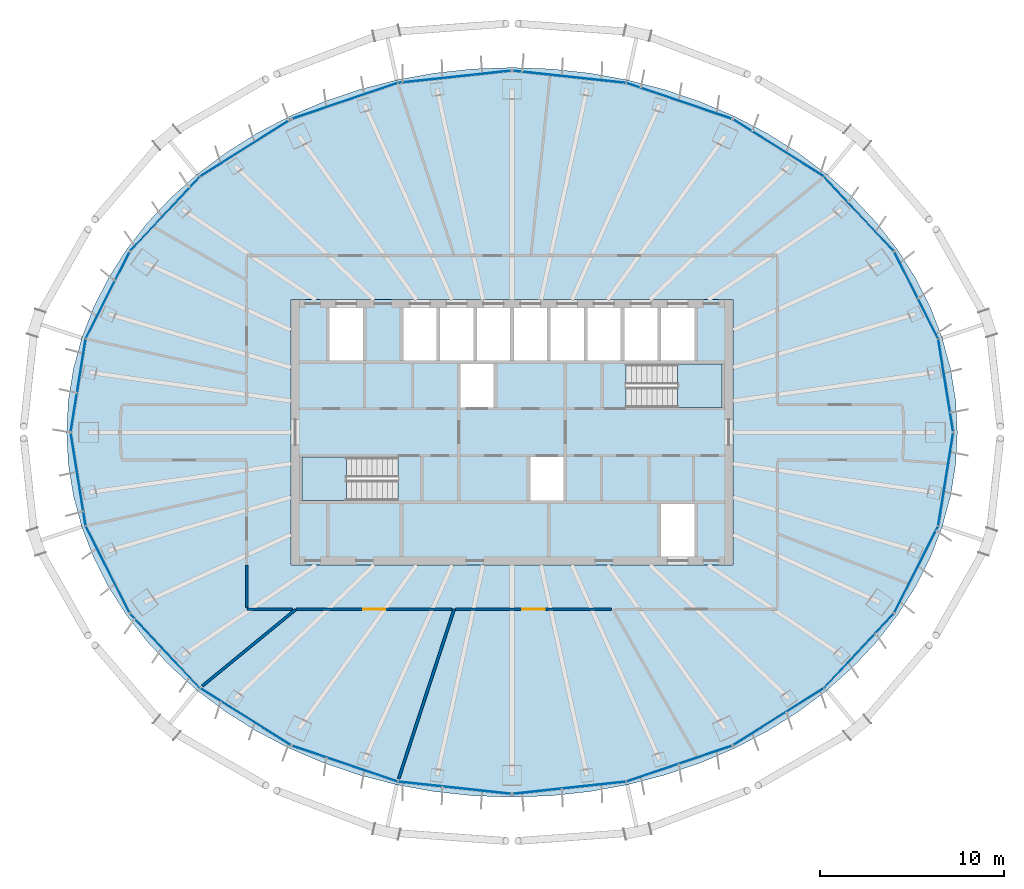
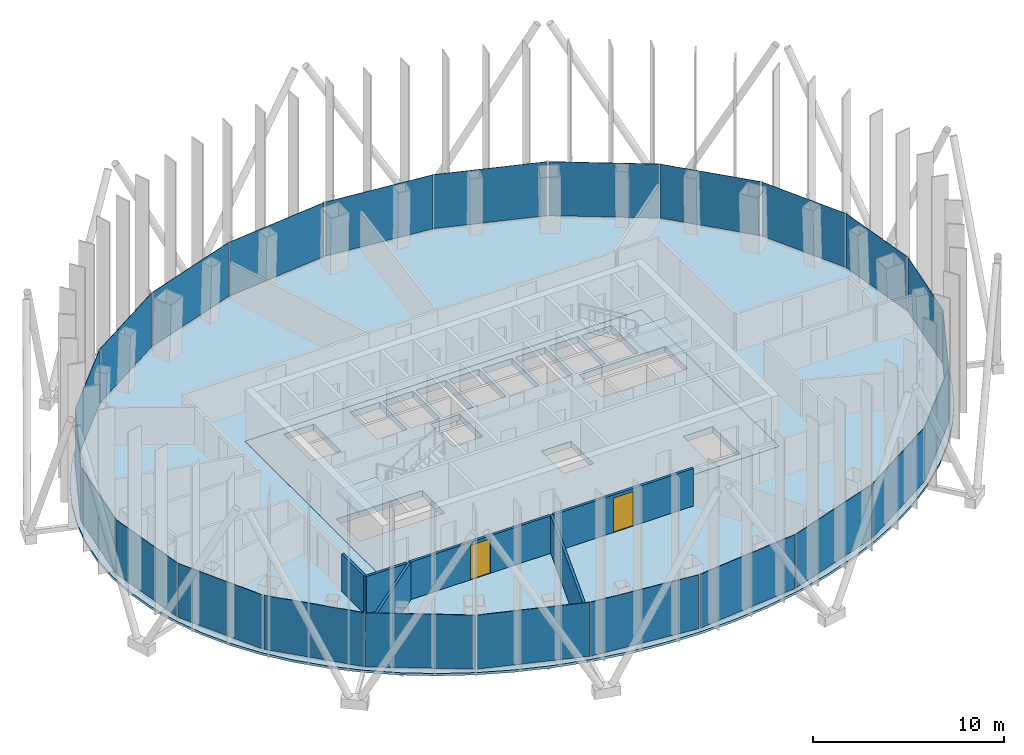
# One storey, part 8 of 18: 24 plates, 6 walls, 4 slabs, 2 doors, 2 openings, 14 elements without a shape of their own.
"""IFC4 building model written with IfcOpenShell, lengths in metres."""

from ifc_helpers import new_model, si_unit, direction, frame, frame_2d, origin, origin_2d, place, context, subcontext, project, spatial, polyline, rectangle, outline, extrude, material, layer, layer_set, type_object, element, fill, aggregate, save


model = new_model("IFC4")

# Units and contexts
model_context = context("Model", 3, precision=1e-05, world=origin(), true_north=direction((0.0, 1.0)))
body_context = subcontext(model_context, "Body", "Model", "MODEL_VIEW")
ifc_project = project(units=[si_unit("LENGTHUNIT", "METRE"), si_unit("AREAUNIT", "SQUARE_METRE"), si_unit("VOLUMEUNIT", "CUBIC_METRE"), si_unit("PLANEANGLEUNIT", "RADIAN"), si_unit("MASSUNIT", "GRAM", prefix="KILO")], contexts=[model_context])

# Site, building, storey
site_placement = place(None, origin())
site = spatial("IfcSite", under=ifc_project, at=site_placement, CompositionType="ELEMENT")
building_placement = place(site_placement, origin())
building = spatial("IfcBuilding", under=site, at=building_placement, Name="Siaravel Broadcast Tower", CompositionType="ELEMENT")
storey_placement = place(building_placement, frame((0.0, 0.0, 157.10009765625)))
storey = spatial("IfcBuildingStorey", under=building, at=storey_placement, Name="L37", CompositionType="ELEMENT", Elevation=157.10009765625)

# Curtain wall, plates
ifc_material_1 = material(Name="Aluminium 6063-T6", Category="aluminium")
ifc_layer_1 = layer(ifc_material_1, 0.179931640625)
ifc_layer_set_1 = layer_set([ifc_layer_1], Name="Aluminium 6063-T6")
curtain_wall_type = type_object("IfcCurtainWallType", Name="Unitised curtain wall, zone 3", PredefinedType="NOTDEFINED", material=ifc_layer_set_1)
curtain_wall_1_placement = place(storey_placement, origin())
curtain_wall_1 = element("IfcCurtainWall", 1, at=curtain_wall_1_placement, inside=storey, type_object=curtain_wall_type, Name="L37 Unitised curtain wall, zone 3 01", PredefinedType="NOTDEFINED")
ifc_material_2 = material(Name="Tinted insulated glass", Category="glass")
ifc_layer_2 = layer(ifc_material_2, 0.028076171875)
ifc_layer_set_2 = layer_set([ifc_layer_2], Name="Tinted insulated glass")
plate_type = type_object("IfcPlateType", Name="CW-Z3 glass panel", PredefinedType="CURTAIN_PANEL", material=ifc_layer_set_2)
plate_1_placement = place(storey_placement, frame((23.5517578125, 2.557373046875, 0.10009765625), z_axis=(0.0, 0.0, 1.0), x_axis=(-0.158685063, 0.987329251, 0.0)))
plate_1 = element("IfcPlate", 2, at=plate_1_placement, type_object=plate_type, Name="CW-Z3 glass panel", PredefinedType="CURTAIN_PANEL", context=body_context, shape_type="SweptSolid", body=[
    extrude(rectangle(XDim=5.060302734375, YDim=0.028076171875, at=origin_2d()), origin(), (0.0, 0.0, 1.0), 3.449951171875),
])
plate_2_placement = place(storey_placement, frame((21.95458984375, 7.4404296875, 0.10009765625), z_axis=(0.0, 0.0, 1.0), x_axis=(-0.451259864, 0.89239259, 0.0)))
plate_2 = element("IfcPlate", 3, at=plate_2_placement, type_object=plate_type, Name="CW-Z3 glass panel", PredefinedType="CURTAIN_PANEL", context=body_context, shape_type="SweptSolid", body=[
    extrude(rectangle(XDim=5.218505859375, YDim=0.028076171875, at=origin_2d()), origin(), (0.0, 0.0, 1.0), 3.449951171875),
])
aggregate(curtain_wall_1, [plate_1, plate_2])

curtain_wall_2_placement = place(storey_placement, origin())
curtain_wall_2 = element("IfcCurtainWall", 4, at=curtain_wall_2_placement, inside=storey, type_object=curtain_wall_type, Name="L37 Unitised curtain wall, zone 3 02", PredefinedType="NOTDEFINED")
plate_3_placement = place(storey_placement, frame((18.8349609375, 11.86669921875, 0.10009765625), z_axis=(0.0, 0.0, 1.0), x_axis=(-0.683654117, 0.729806172, 0.0)))
plate_3 = element("IfcPlate", 5, at=plate_3_placement, type_object=plate_type, Name="CW-Z3 glass panel", PredefinedType="CURTAIN_PANEL", context=body_context, shape_type="SweptSolid", body=[
    extrude(rectangle(XDim=5.482177734375, YDim=0.028076171875, at=origin_2d()), origin(), (0.0, 0.0, 1.0), 3.449951171875),
])
plate_4_placement = place(storey_placement, frame((14.471923828125, 15.440673828125, 0.10009765625), z_axis=(0.0, 0.0, 1.0), x_axis=(-0.846649928, 0.532150259, 0.0)))
plate_4 = element("IfcPlate", 6, at=plate_4_placement, type_object=plate_type, Name="CW-Z3 glass panel", PredefinedType="CURTAIN_PANEL", context=body_context, shape_type="SweptSolid", body=[
    extrude(rectangle(XDim=5.771728515625, YDim=0.028076171875, at=origin_2d()), origin(), (0.0, 0.0, 1.0), 3.449951171875),
])
aggregate(curtain_wall_2, [plate_3, plate_4])

curtain_wall_3_placement = place(storey_placement, origin())
curtain_wall_3 = element("IfcCurtainWall", 7, at=curtain_wall_3_placement, inside=storey, type_object=curtain_wall_type, Name="L37 Unitised curtain wall, zone 3 03", PredefinedType="NOTDEFINED")
plate_5_placement = place(storey_placement, frame((9.07470703125, 17.993408203125, 0.10009765625), z_axis=(0.0, 0.0, 1.0), x_axis=(-0.946976983, 0.321301405, 0.0)))
plate_5 = element("IfcPlate", 8, at=plate_5_placement, type_object=plate_type, Name="CW-Z3 glass panel", PredefinedType="CURTAIN_PANEL", context=body_context, shape_type="SweptSolid", body=[
    extrude(rectangle(XDim=6.011474609375, YDim=0.028076171875, at=origin_2d()), origin(), (0.0, 0.0, 1.0), 3.449951171875),
])
plate_6_placement = place(storey_placement, frame((3.11474609375, 19.301513671875, 0.10009765625), z_axis=(0.0, 0.0, 1.0), x_axis=(-0.99423556, 0.107217776, 0.0)))
plate_6 = element("IfcPlate", 9, at=plate_6_placement, type_object=plate_type, Name="CW-Z3 glass panel", PredefinedType="CURTAIN_PANEL", context=body_context, shape_type="SweptSolid", body=[
    extrude(rectangle(XDim=6.145751953125, YDim=0.028076171875, at=origin_2d()), origin(), (0.0, 0.0, 1.0), 3.449951171875),
])
aggregate(curtain_wall_3, [plate_5, plate_6])

curtain_wall_4_placement = place(storey_placement, origin())
curtain_wall_4 = element("IfcCurtainWall", 10, at=curtain_wall_4_placement, inside=storey, type_object=curtain_wall_type, Name="L37 Unitised curtain wall, zone 3 04", PredefinedType="NOTDEFINED")
plate_7_placement = place(storey_placement, frame((-3.11474609375, 19.301513671875, 0.10009765625), z_axis=(0.0, 0.0, 1.0), x_axis=(-0.99423556, -0.107217776, 0.0)))
plate_7 = element("IfcPlate", 11, at=plate_7_placement, type_object=plate_type, Name="CW-Z3 glass panel", PredefinedType="CURTAIN_PANEL", context=body_context, shape_type="SweptSolid", body=[
    extrude(rectangle(XDim=6.145751953125, YDim=0.028076171875, at=origin_2d()), origin(), (0.0, 0.0, 1.0), 3.449951171875),
])
plate_8_placement = place(storey_placement, frame((-9.07470703125, 17.993408203125, 0.10009765625), z_axis=(0.0, 0.0, 1.0), x_axis=(-0.946976983, -0.321301405, 0.0)))
plate_8 = element("IfcPlate", 12, at=plate_8_placement, type_object=plate_type, Name="CW-Z3 glass panel", PredefinedType="CURTAIN_PANEL", context=body_context, shape_type="SweptSolid", body=[
    extrude(rectangle(XDim=6.011474609375, YDim=0.028076171875, at=origin_2d()), origin(), (0.0, 0.0, 1.0), 3.449951171875),
])
aggregate(curtain_wall_4, [plate_7, plate_8])

curtain_wall_5_placement = place(storey_placement, origin())
curtain_wall_5 = element("IfcCurtainWall", 13, at=curtain_wall_5_placement, inside=storey, type_object=curtain_wall_type, Name="L37 Unitised curtain wall, zone 3 05", PredefinedType="NOTDEFINED")
plate_9_placement = place(storey_placement, frame((-14.471923828125, 15.440673828125, 0.10009765625), z_axis=(0.0, 0.0, 1.0), x_axis=(-0.846649928, -0.532150259, 0.0)))
plate_9 = element("IfcPlate", 14, at=plate_9_placement, type_object=plate_type, Name="CW-Z3 glass panel", PredefinedType="CURTAIN_PANEL", context=body_context, shape_type="SweptSolid", body=[
    extrude(rectangle(XDim=5.771728515625, YDim=0.028076171875, at=origin_2d()), origin(), (0.0, 0.0, 1.0), 3.449951171875),
])
plate_10_placement = place(storey_placement, frame((-18.8349609375, 11.86669921875, 0.10009765625), z_axis=(0.0, 0.0, 1.0), x_axis=(-0.683654117, -0.729806172, 0.0)))
plate_10 = element("IfcPlate", 15, at=plate_10_placement, type_object=plate_type, Name="CW-Z3 glass panel", PredefinedType="CURTAIN_PANEL", context=body_context, shape_type="SweptSolid", body=[
    extrude(rectangle(XDim=5.482177734375, YDim=0.028076171875, at=origin_2d()), origin(), (0.0, 0.0, 1.0), 3.449951171875),
])
aggregate(curtain_wall_5, [plate_9, plate_10])

curtain_wall_6_placement = place(storey_placement, origin())
curtain_wall_6 = element("IfcCurtainWall", 16, at=curtain_wall_6_placement, inside=storey, type_object=curtain_wall_type, Name="L37 Unitised curtain wall, zone 3 06", PredefinedType="NOTDEFINED")
plate_11_placement = place(storey_placement, frame((-21.95458984375, 7.4404296875, 0.10009765625), z_axis=(0.0, 0.0, 1.0), x_axis=(-0.451259864, -0.89239259, 0.0)))
plate_11 = element("IfcPlate", 17, at=plate_11_placement, type_object=plate_type, Name="CW-Z3 glass panel", PredefinedType="CURTAIN_PANEL", context=body_context, shape_type="SweptSolid", body=[
    extrude(rectangle(XDim=5.218505859375, YDim=0.028076171875, at=origin_2d()), origin(), (0.0, 0.0, 1.0), 3.449951171875),
])
plate_12_placement = place(storey_placement, frame((-23.5517578125, 2.557373046875, 0.10009765625), z_axis=(0.0, 0.0, 1.0), x_axis=(-0.158685063, -0.987329251, 0.0)))
plate_12 = element("IfcPlate", 18, at=plate_12_placement, type_object=plate_type, Name="CW-Z3 glass panel", PredefinedType="CURTAIN_PANEL", context=body_context, shape_type="SweptSolid", body=[
    extrude(rectangle(XDim=5.060302734375, YDim=0.028076171875, at=origin_2d()), origin(), (0.0, 0.0, 1.0), 3.449951171875),
])
aggregate(curtain_wall_6, [plate_11, plate_12])

curtain_wall_7_placement = place(storey_placement, origin())
curtain_wall_7 = element("IfcCurtainWall", 19, at=curtain_wall_7_placement, inside=storey, type_object=curtain_wall_type, Name="L37 Unitised curtain wall, zone 3 07", PredefinedType="NOTDEFINED")
plate_13_placement = place(storey_placement, frame((-23.5517578125, -2.557373046875, 0.10009765625), z_axis=(0.0, 0.0, 1.0), x_axis=(0.158685063, -0.987329251, 0.0)))
plate_13 = element("IfcPlate", 20, at=plate_13_placement, type_object=plate_type, Name="CW-Z3 glass panel", PredefinedType="CURTAIN_PANEL", context=body_context, shape_type="SweptSolid", body=[
    extrude(rectangle(XDim=5.060302734375, YDim=0.028076171875, at=origin_2d()), origin(), (0.0, 0.0, 1.0), 3.449951171875),
])
plate_14_placement = place(storey_placement, frame((-21.95458984375, -7.4404296875, 0.10009765625), z_axis=(0.0, 0.0, 1.0), x_axis=(0.451259864, -0.89239259, 0.0)))
plate_14 = element("IfcPlate", 21, at=plate_14_placement, type_object=plate_type, Name="CW-Z3 glass panel", PredefinedType="CURTAIN_PANEL", context=body_context, shape_type="SweptSolid", body=[
    extrude(rectangle(XDim=5.218505859375, YDim=0.028076171875, at=origin_2d()), origin(), (0.0, 0.0, 1.0), 3.449951171875),
])
aggregate(curtain_wall_7, [plate_13, plate_14])

curtain_wall_8_placement = place(storey_placement, origin())
curtain_wall_8 = element("IfcCurtainWall", 22, at=curtain_wall_8_placement, inside=storey, type_object=curtain_wall_type, Name="L37 Unitised curtain wall, zone 3 08", PredefinedType="NOTDEFINED")
plate_15_placement = place(storey_placement, frame((-18.8349609375, -11.86669921875, 0.10009765625), z_axis=(0.0, 0.0, 1.0), x_axis=(0.683654117, -0.729806172, 0.0)))
plate_15 = element("IfcPlate", 23, at=plate_15_placement, type_object=plate_type, Name="CW-Z3 glass panel", PredefinedType="CURTAIN_PANEL", context=body_context, shape_type="SweptSolid", body=[
    extrude(rectangle(XDim=5.482177734375, YDim=0.028076171875, at=origin_2d()), origin(), (0.0, 0.0, 1.0), 3.449951171875),
])
plate_16_placement = place(storey_placement, frame((-14.471923828125, -15.440673828125, 0.10009765625), z_axis=(0.0, 0.0, 1.0), x_axis=(0.846649928, -0.532150259, 0.0)))
plate_16 = element("IfcPlate", 24, at=plate_16_placement, type_object=plate_type, Name="CW-Z3 glass panel", PredefinedType="CURTAIN_PANEL", context=body_context, shape_type="SweptSolid", body=[
    extrude(rectangle(XDim=5.771728515625, YDim=0.028076171875, at=origin_2d()), origin(), (0.0, 0.0, 1.0), 3.449951171875),
])
aggregate(curtain_wall_8, [plate_15, plate_16])

curtain_wall_9_placement = place(storey_placement, origin())
curtain_wall_9 = element("IfcCurtainWall", 25, at=curtain_wall_9_placement, inside=storey, type_object=curtain_wall_type, Name="L37 Unitised curtain wall, zone 3 09", PredefinedType="NOTDEFINED")
plate_17_placement = place(storey_placement, frame((-9.07470703125, -17.993408203125, 0.10009765625), z_axis=(0.0, 0.0, 1.0), x_axis=(0.946976983, -0.321301405, 0.0)))
plate_17 = element("IfcPlate", 26, at=plate_17_placement, type_object=plate_type, Name="CW-Z3 glass panel", PredefinedType="CURTAIN_PANEL", context=body_context, shape_type="SweptSolid", body=[
    extrude(rectangle(XDim=6.011474609375, YDim=0.028076171875, at=origin_2d()), origin(), (0.0, 0.0, 1.0), 3.449951171875),
])
plate_18_placement = place(storey_placement, frame((-3.11474609375, -19.301513671875, 0.10009765625), z_axis=(0.0, 0.0, 1.0), x_axis=(0.99423556, -0.107217776, 0.0)))
plate_18 = element("IfcPlate", 27, at=plate_18_placement, type_object=plate_type, Name="CW-Z3 glass panel", PredefinedType="CURTAIN_PANEL", context=body_context, shape_type="SweptSolid", body=[
    extrude(rectangle(XDim=6.145751953125, YDim=0.028076171875, at=origin_2d()), origin(), (0.0, 0.0, 1.0), 3.449951171875),
])
aggregate(curtain_wall_9, [plate_17, plate_18])

curtain_wall_10_placement = place(storey_placement, origin())
curtain_wall_10 = element("IfcCurtainWall", 28, at=curtain_wall_10_placement, inside=storey, type_object=curtain_wall_type, Name="L37 Unitised curtain wall, zone 3 10", PredefinedType="NOTDEFINED")
plate_19_placement = place(storey_placement, frame((3.11474609375, -19.301513671875, 0.10009765625), z_axis=(0.0, 0.0, 1.0), x_axis=(0.99423556, 0.107217776, 0.0)))
plate_19 = element("IfcPlate", 29, at=plate_19_placement, type_object=plate_type, Name="CW-Z3 glass panel", PredefinedType="CURTAIN_PANEL", context=body_context, shape_type="SweptSolid", body=[
    extrude(rectangle(XDim=6.145751953125, YDim=0.028076171875, at=origin_2d()), origin(), (0.0, 0.0, 1.0), 3.449951171875),
])
plate_20_placement = place(storey_placement, frame((9.07470703125, -17.993408203125, 0.10009765625), z_axis=(0.0, 0.0, 1.0), x_axis=(0.946976983, 0.321301405, 0.0)))
plate_20 = element("IfcPlate", 30, at=plate_20_placement, type_object=plate_type, Name="CW-Z3 glass panel", PredefinedType="CURTAIN_PANEL", context=body_context, shape_type="SweptSolid", body=[
    extrude(rectangle(XDim=6.011474609375, YDim=0.028076171875, at=origin_2d()), origin(), (0.0, 0.0, 1.0), 3.449951171875),
])
aggregate(curtain_wall_10, [plate_19, plate_20])

curtain_wall_11_placement = place(storey_placement, origin())
curtain_wall_11 = element("IfcCurtainWall", 31, at=curtain_wall_11_placement, inside=storey, type_object=curtain_wall_type, Name="L37 Unitised curtain wall, zone 3 11", PredefinedType="NOTDEFINED")
plate_21_placement = place(storey_placement, frame((14.471923828125, -15.440673828125, 0.10009765625), z_axis=(0.0, 0.0, 1.0), x_axis=(0.846649928, 0.532150259, 0.0)))
plate_21 = element("IfcPlate", 32, at=plate_21_placement, type_object=plate_type, Name="CW-Z3 glass panel", PredefinedType="CURTAIN_PANEL", context=body_context, shape_type="SweptSolid", body=[
    extrude(rectangle(XDim=5.771728515625, YDim=0.028076171875, at=origin_2d()), origin(), (0.0, 0.0, 1.0), 3.449951171875),
])
plate_22_placement = place(storey_placement, frame((18.8349609375, -11.86669921875, 0.10009765625), z_axis=(0.0, 0.0, 1.0), x_axis=(0.683654117, 0.729806172, 0.0)))
plate_22 = element("IfcPlate", 33, at=plate_22_placement, type_object=plate_type, Name="CW-Z3 glass panel", PredefinedType="CURTAIN_PANEL", context=body_context, shape_type="SweptSolid", body=[
    extrude(rectangle(XDim=5.482177734375, YDim=0.028076171875, at=origin_2d()), origin(), (0.0, 0.0, 1.0), 3.449951171875),
])
aggregate(curtain_wall_11, [plate_21, plate_22])

curtain_wall_12_placement = place(storey_placement, origin())
curtain_wall_12 = element("IfcCurtainWall", 34, at=curtain_wall_12_placement, inside=storey, type_object=curtain_wall_type, Name="L37 Unitised curtain wall, zone 3 12", PredefinedType="NOTDEFINED")
plate_23_placement = place(storey_placement, frame((21.95458984375, -7.4404296875, 0.10009765625), z_axis=(0.0, 0.0, 1.0), x_axis=(0.451259864, 0.89239259, 0.0)))
plate_23 = element("IfcPlate", 35, at=plate_23_placement, type_object=plate_type, Name="CW-Z3 glass panel", PredefinedType="CURTAIN_PANEL", context=body_context, shape_type="SweptSolid", body=[
    extrude(rectangle(XDim=5.218505859375, YDim=0.028076171875, at=origin_2d()), origin(), (0.0, 0.0, 1.0), 3.449951171875),
])
plate_24_placement = place(storey_placement, frame((23.5517578125, -2.557373046875, 0.10009765625), z_axis=(0.0, 0.0, 1.0), x_axis=(0.158685063, 0.987329251, 0.0)))
plate_24 = element("IfcPlate", 36, at=plate_24_placement, type_object=plate_type, Name="CW-Z3 glass panel", PredefinedType="CURTAIN_PANEL", context=body_context, shape_type="SweptSolid", body=[
    extrude(rectangle(XDim=5.060302734375, YDim=0.028076171875, at=origin_2d()), origin(), (0.0, 0.0, 1.0), 3.449951171875),
])
aggregate(curtain_wall_12, [plate_23, plate_24])

# Slabs
ifc_material_3 = material(Name="Concrete C40/50", Category="concrete")
ifc_layer_3 = layer(ifc_material_3, 0.39990234375)
ifc_layer_set_3 = layer_set([ifc_layer_3], Name="Concrete C40/50")
slab_type_1 = type_object("IfcSlabType", Name="Core floor slab 400", PredefinedType="FLOOR", material=ifc_layer_set_3)
slab_1_placement = place(storey_placement, frame((0.0, 0.0, -0.400146484375)))
element("IfcSlab", 37, at=slab_1_placement, inside=storey, type_object=slab_type_1, Name="L37 core floor", PredefinedType="FLOOR", context=body_context, shape_type="SweptSolid", body=[
    extrude(outline(polyline([(-12.0, -7.199951171875), (-12.0, 7.199951171875), (12.0, 7.199951171875), (12.0, -7.199951171875), (-12.0, -7.199951171875)]), holes=[polyline([(11.3994140625, 1.3505859375), (11.3994140625, 3.699462890625), (6.200439453125, 3.699462890625), (6.200439453125, 1.3505859375), (11.3994140625, 1.3505859375)]), polyline([(8.10009765625, -3.89990234375), (8.10009765625, -6.75), (9.89990234375, -6.75), (9.89990234375, -3.89990234375), (8.10009765625, -3.89990234375)]), polyline([(9.89990234375, 6.75), (8.10009765625, 6.75), (8.10009765625, 3.89990234375), (9.89990234375, 3.89990234375), (9.89990234375, 6.75)]), polyline([(7.89990234375, 6.75), (6.10009765625, 6.75), (6.10009765625, 3.89990234375), (7.89990234375, 3.89990234375), (7.89990234375, 6.75)]), polyline([(5.89990234375, 6.75), (4.10009765625, 6.75), (4.10009765625, 3.89990234375), (5.89990234375, 3.89990234375), (5.89990234375, 6.75)]), polyline([(3.89990234375, 6.75), (2.10009765625, 6.75), (2.10009765625, 3.89990234375), (3.89990234375, 3.89990234375), (3.89990234375, 6.75)]), polyline([(2.800048828125, -1.35009765625), (1.0, -1.35009765625), (1.0, -3.699951171875), (2.800048828125, -3.699951171875), (2.800048828125, -1.35009765625)]), polyline([(1.89990234375, 6.75), (0.10009765625, 6.75), (0.10009765625, 3.89990234375), (1.89990234375, 3.89990234375), (1.89990234375, 6.75)]), polyline([(-0.10009765625, 6.75), (-1.89990234375, 6.75), (-1.89990234375, 3.89990234375), (-0.10009765625, 3.89990234375), (-0.10009765625, 6.75)]), polyline([(-1.0, 3.699951171875), (-2.800048828125, 3.699951171875), (-2.800048828125, 1.35009765625), (-1.0, 1.35009765625), (-1.0, 3.699951171875)]), polyline([(-2.10009765625, 6.75), (-3.89990234375, 6.75), (-3.89990234375, 3.89990234375), (-2.10009765625, 3.89990234375), (-2.10009765625, 6.75)]), polyline([(-4.10009765625, 6.75), (-5.89990234375, 6.75), (-5.89990234375, 3.89990234375), (-4.10009765625, 3.89990234375), (-4.10009765625, 6.75)]), polyline([(-11.3994140625, -3.699462890625), (-6.200439453125, -3.699462890625), (-6.200439453125, -1.3505859375), (-11.3994140625, -1.3505859375), (-11.3994140625, -3.699462890625)]), polyline([(-8.10009765625, 6.75), (-9.89990234375, 6.75), (-9.89990234375, 3.89990234375), (-8.10009765625, 3.89990234375), (-8.10009765625, 6.75)])]), origin(), (0.0, 0.0, 1.0), 0.400146484375),
])
ifc_layer_4 = layer(ifc_material_3, 0.14990234375)
ifc_layer_set_4 = layer_set([ifc_layer_4], Name="Concrete C40/50")
slab_type_2 = type_object("IfcSlabType", Name="SLB-FLOOR-150", PredefinedType="FLOOR", material=ifc_layer_set_4)
slab_2_placement = place(storey_placement, frame((0.0, 0.0, -0.150146484375)))
element("IfcSlab", 38, at=slab_2_placement, inside=storey, type_object=slab_type_2, Name="Floor slab", PredefinedType="FLOOR", context=body_context, shape_type="SweptSolid", body=[
    extrude(outline(polyline([(24.182861328125, 0.0), (24.0908203125, 1.726318359375), (23.8154296875, 3.439697265625), (23.35888671875, 5.126708984375), (22.724365234375, 6.77490234375), (21.9169921875, 8.371337890625), (20.94287109375, 9.904296875), (19.809326171875, 11.361572265625), (18.525146484375, 12.732666015625), (17.099853515625, 14.006591796875), (15.54443359375, 15.174072265625), (13.87060546875, 16.22607421875), (12.09130859375, 17.154541015625), (10.22021484375, 17.952392578125), (8.27099609375, 18.61376953125), (6.259033203125, 19.13330078125), (4.19921875, 19.507568359375), (2.107666015625, 19.73291015625), (0.0, 19.808349609375), (-2.107666015625, 19.73291015625), (-4.19921875, 19.507568359375), (-6.259033203125, 19.13330078125), (-8.27099609375, 18.61376953125), (-10.22021484375, 17.952392578125), (-12.09130859375, 17.154541015625), (-13.87060546875, 16.22607421875), (-15.54443359375, 15.174072265625), (-17.099853515625, 14.006591796875), (-18.525146484375, 12.732666015625), (-19.809326171875, 11.361572265625), (-20.94287109375, 9.904296875), (-21.9169921875, 8.371337890625), (-22.724365234375, 6.77490234375), (-23.35888671875, 5.126708984375), (-23.8154296875, 3.439697265625), (-24.0908203125, 1.726318359375), (-24.182861328125, 0.0), (-24.0908203125, -1.726318359375), (-23.8154296875, -3.439697265625), (-23.35888671875, -5.126708984375), (-22.724365234375, -6.77490234375), (-21.9169921875, -8.371337890625), (-20.94287109375, -9.904296875), (-19.809326171875, -11.361572265625), (-18.525146484375, -12.732666015625), (-17.099853515625, -14.006591796875), (-15.54443359375, -15.174072265625), (-13.87060546875, -16.22607421875), (-12.09130859375, -17.154541015625), (-10.22021484375, -17.952392578125), (-8.27099609375, -18.61376953125), (-6.259033203125, -19.13330078125), (-4.19921875, -19.507568359375), (-2.107666015625, -19.73291015625), (0.0, -19.808349609375), (2.107666015625, -19.73291015625), (4.19921875, -19.507568359375), (6.259033203125, -19.13330078125), (8.27099609375, -18.61376953125), (10.22021484375, -17.952392578125), (12.09130859375, -17.154541015625), (13.87060546875, -16.22607421875), (15.54443359375, -15.174072265625), (17.099853515625, -14.006591796875), (18.525146484375, -12.732666015625), (19.809326171875, -11.361572265625), (20.94287109375, -9.904296875), (21.9169921875, -8.371337890625), (22.724365234375, -6.77490234375), (23.35888671875, -5.126708984375), (23.8154296875, -3.439697265625), (24.0908203125, -1.726318359375), (24.182861328125, 0.0)]), holes=[polyline([(-12.0, 7.199951171875), (12.0, 7.199951171875), (12.0, -7.199951171875), (-12.0, -7.199951171875), (-12.0, 7.199951171875)])]), origin(), (0.0, 0.0, 1.0), 0.150146484375),
])

# Stair, slab
stair_type = type_object("IfcStairType", Name="Core exit stair", PredefinedType="HALF_TURN_STAIR", material=ifc_material_3)
stair_1_placement = place(storey_placement, origin())
stair_1 = element("IfcStair", 39, at=stair_1_placement, inside=storey, type_object=stair_type, Name="L37 Exit stair ST-1", PredefinedType="HALF_TURN_STAIR")
ifc_layer_5 = layer(ifc_material_3, 0.199951171875)
ifc_layer_set_5 = layer_set([ifc_layer_5], Name="Concrete C40/50")
slab_type_3 = type_object("IfcSlabType", Name="Stair landing", PredefinedType="LANDING", material=ifc_layer_set_5)
slab_3_placement = place(storey_placement, frame((0.0, 0.0, 1.64990234375)))
slab_3 = element("IfcSlab", 40, at=slab_3_placement, type_object=slab_type_3, Name="ST-1 landing 1", PredefinedType="LANDING", context=body_context, shape_type="SweptSolid", body=[
    extrude(outline(polyline([(-9.0, -1.35009765625), (-11.39990234375, -1.35009765625), (-11.39990234375, -3.699951171875), (-9.0, -3.699951171875), (-9.0, -1.35009765625)])), origin(), (0.0, 0.0, 1.0), 0.199951171875),
])
aggregate(stair_1, [slab_3])

stair_2_placement = place(storey_placement, origin())
stair_2 = element("IfcStair", 41, at=stair_2_placement, inside=storey, type_object=stair_type, Name="L37 Exit stair ST-2", PredefinedType="HALF_TURN_STAIR")
slab_4_placement = place(storey_placement, frame((0.0, 0.0, 1.64990234375)))
slab_4 = element("IfcSlab", 42, at=slab_4_placement, type_object=slab_type_3, Name="ST-2 landing 1", PredefinedType="LANDING", context=body_context, shape_type="SweptSolid", body=[
    extrude(outline(polyline([(9.0, 1.35009765625), (11.39990234375, 1.35009765625), (11.39990234375, 3.699951171875), (9.0, 3.699951171875), (9.0, 1.35009765625)])), origin(), (0.0, 0.0, 1.0), 0.199951171875),
])
aggregate(stair_2, [slab_4])

# Wall, opening, door
ifc_material_4 = material(Name="Gypsum board partition", Category="gypsum")
ifc_layer_6 = layer(ifc_material_4, 0.14990234375)
ifc_layer_set_6 = layer_set([ifc_layer_6], Name="Gypsum board partition")
wall_type_1 = type_object("IfcWallType", Name="Corridor wall 150", PredefinedType="PARTITIONING", material=ifc_layer_set_6)
wall_1_placement = place(storey_placement, frame((-3.067138671875, -9.60009765625, 0.0), z_axis=(0.0, 0.0, 1.0), x_axis=(1.0, 0.0, 0.0)))
wall_1 = element("IfcWall", 43, at=wall_1_placement, inside=storey, type_object=wall_type_1, Name="L37 partition 10", PredefinedType="PARTITIONING", context=body_context, shape_type="SweptSolid", body=[
    extrude(rectangle(XDim=8.465087890625, YDim=0.14990234375, at=frame_2d((4.232421875, 0.0))), origin(), (0.0, 0.0, 1.0), 2.39990234375),
])
opening_1_placement = place(wall_1_placement, frame((3.632568359375, 0.0, 0.0)))
opening_1 = element("IfcOpeningElement", 44, at=opening_1_placement, cuts=wall_1, Name="Opening L37-009", PredefinedType="OPENING", context=body_context, shape_type="SweptSolid", body=[
    extrude(rectangle(XDim=1.199951171875, YDim=2.199951171875, at=frame_2d((0.60009765625, 1.10009765625))), frame((0.0, 0.0849609375, 0.0), z_axis=(0.0, -1.0, 0.0), x_axis=(1.0, 0.0, 0.0)), (0.0, 0.0, 1.0), 0.169921875),
])
ifc_material_5 = material(Name="Timber veneer", Category="wood")
door_type = type_object("IfcDoorType", Name="Office double door 1200", OperationType="DOUBLE_DOOR_SINGLE_SWING", PredefinedType="DOOR", material=ifc_material_5)
door_1_placement = place(opening_1_placement, origin())
door_1 = element("IfcDoor", 45, at=door_1_placement, inside=storey, type_object=door_type, Name="L37 door to Open plan office", OperationType="DOUBLE_DOOR_SINGLE_SWING", OverallHeight=2.199951171875, OverallWidth=1.199951171875, PredefinedType="DOOR", context=body_context, shape_type="SweptSolid", body=[
    extrude(rectangle(XDim=1.199951171875, YDim=2.199951171875, at=frame_2d((0.60009765625, 1.10009765625))), frame((0.0, 0.02490234375, 0.0), z_axis=(0.0, -1.0, 0.0), x_axis=(1.0, 0.0, 0.0)), (0.0, 0.0, 1.0), 0.050048828125),
])
fill(opening_1, door_1)

wall_2_placement = place(storey_placement, frame((-11.719970703125, -9.60009765625, 0.0), z_axis=(0.0, 0.0, 1.0), x_axis=(1.0, 0.0, 0.0)))
wall_2 = element("IfcWall", 46, at=wall_2_placement, inside=storey, type_object=wall_type_1, Name="L37 partition 11", PredefinedType="PARTITIONING", context=body_context, shape_type="SweptSolid", body=[
    extrude(rectangle(XDim=8.47412109375, YDim=0.14990234375, at=frame_2d((4.237060546875, 0.0))), origin(), (0.0, 0.0, 1.0), 2.39990234375),
])
opening_2_placement = place(wall_2_placement, frame((3.63720703125, 0.0, 0.0)))
opening_2 = element("IfcOpeningElement", 47, at=opening_2_placement, cuts=wall_2, Name="Opening L37-008", PredefinedType="OPENING", context=body_context, shape_type="SweptSolid", body=[
    extrude(rectangle(XDim=1.199951171875, YDim=2.199951171875, at=frame_2d((0.60009765625, 1.10009765625))), frame((0.0, 0.0849609375, 0.0), z_axis=(0.0, -1.0, 0.0), x_axis=(1.0, 0.0, 0.0)), (0.0, 0.0, 1.0), 0.169921875),
])
door_2_placement = place(opening_2_placement, origin())
door_2 = element("IfcDoor", 48, at=door_2_placement, inside=storey, type_object=door_type, Name="L37 door to Open plan office", OperationType="DOUBLE_DOOR_SINGLE_SWING", OverallHeight=2.199951171875, OverallWidth=1.199951171875, PredefinedType="DOOR", context=body_context, shape_type="SweptSolid", body=[
    extrude(rectangle(XDim=1.199951171875, YDim=2.199951171875, at=frame_2d((0.60009765625, 1.10009765625))), frame((0.0, 0.02490234375, 0.0), z_axis=(0.0, -1.0, 0.0), x_axis=(1.0, 0.0, 0.0)), (0.0, 0.0, 1.0), 0.050048828125),
])
fill(opening_2, door_2)

# Walls
wall_3_placement = place(storey_placement, frame((-14.39990234375, -9.60009765625, 0.0), z_axis=(0.0, 0.0, 1.0), x_axis=(1.0, 0.0, 0.0)))
element("IfcWall", 49, at=wall_3_placement, inside=storey, type_object=wall_type_1, Name="L37 partition 25", PredefinedType="PARTITIONING", context=body_context, shape_type="SweptSolid", body=[
    extrude(rectangle(XDim=2.468017578125, YDim=0.14990234375, at=frame_2d((1.23388671875, 0.0))), origin(), (0.0, 0.0, 1.0), 2.39990234375),
])
wall_4_placement = place(storey_placement, frame((-14.39990234375, -7.212890625, 0.0), z_axis=(0.0, 0.0, 1.0), x_axis=(0.0, -1.0, 0.0)))
element("IfcWall", 50, at=wall_4_placement, inside=storey, type_object=wall_type_1, Name="L37 partition 29", PredefinedType="PARTITIONING", context=body_context, shape_type="SweptSolid", body=[
    extrude(rectangle(XDim=2.31005859375, YDim=0.14990234375, at=frame_2d((1.155029296875, 0.0))), origin(), (0.0, 0.0, 1.0), 2.39990234375),
])
ifc_layer_7 = layer(ifc_material_4, 0.14990234375)
ifc_layer_set_7 = layer_set([ifc_layer_7], Name="Gypsum board partition")
wall_type_2 = type_object("IfcWallType", Name="Room partition 150", PredefinedType="PARTITIONING", material=ifc_layer_set_7)
wall_5_placement = place(storey_placement, frame((-6.151611328125, -18.804931640625, 0.0), z_axis=(0.0, 0.0, 1.0), x_axis=(0.310921484, 0.950435601, 0.0)))
element("IfcWall", 51, at=wall_5_placement, inside=storey, type_object=wall_type_2, Name="L37 partition 5", PredefinedType="PARTITIONING", context=body_context, shape_type="SweptSolid", body=[
    extrude(rectangle(XDim=9.684814453125, YDim=0.14990234375, at=frame_2d((4.84228515625, 0.0))), origin(), (0.0, 0.0, 1.0), 2.39990234375),
])
wall_6_placement = place(storey_placement, frame((-16.8134765625, -13.772216796875, 0.0), z_axis=(0.0, 0.0, 1.0), x_axis=(0.773595956, 0.633679175, 0.0)))
element("IfcWall", 52, at=wall_6_placement, inside=storey, type_object=wall_type_2, Name="L37 partition 16", PredefinedType="PARTITIONING", context=body_context, shape_type="SweptSolid", body=[
    extrude(rectangle(XDim=6.53466796875, YDim=0.14990234375, at=frame_2d((3.267333984375, 0.0))), origin(), (0.0, 0.0, 1.0), 2.39990234375),
])

save(model, "model.ifc")
